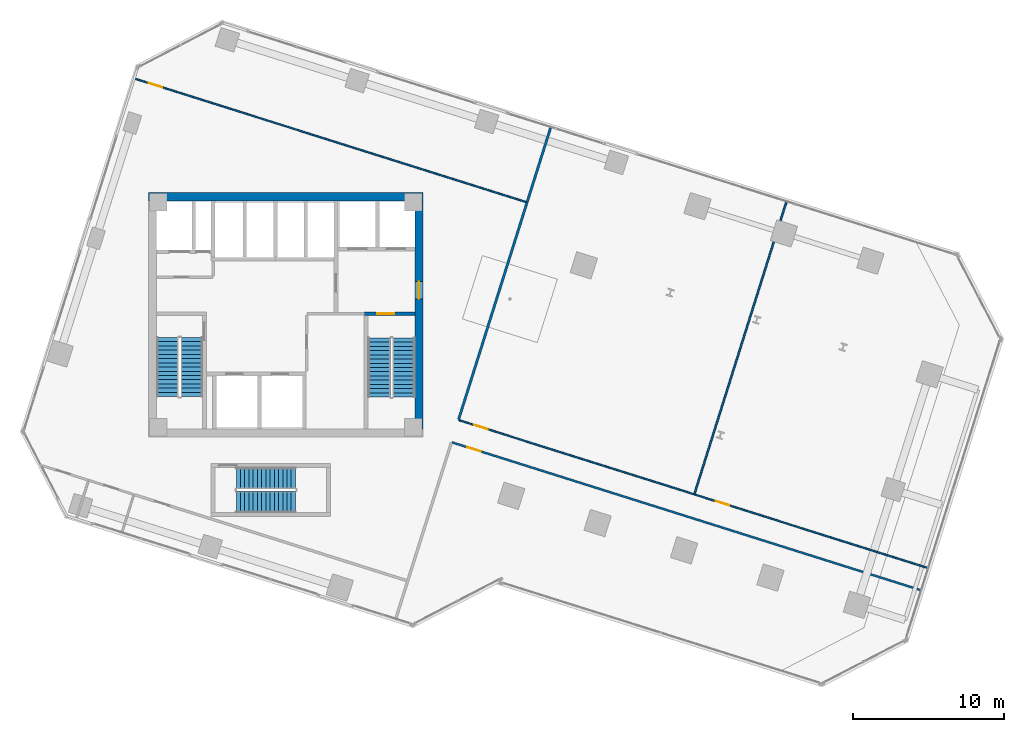
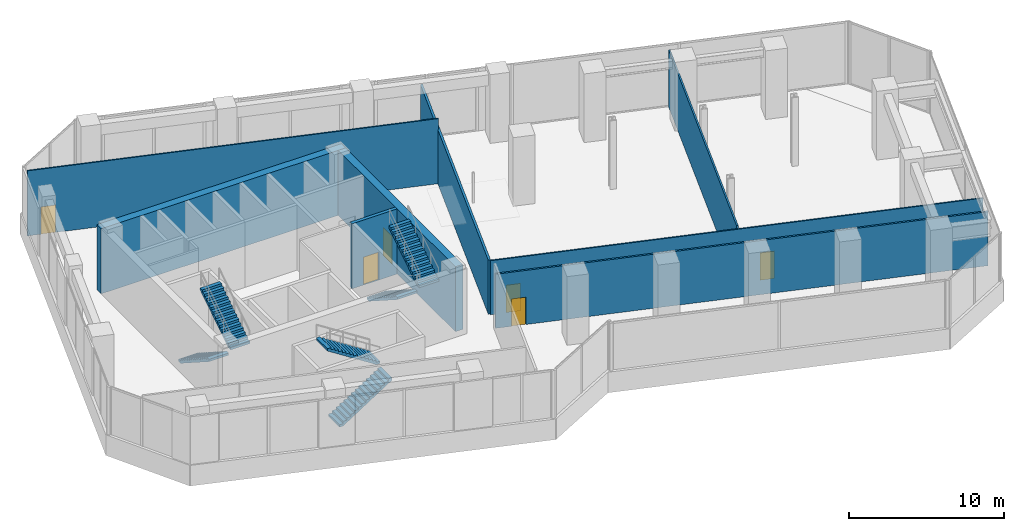
# One storey, part 22 of 28: 8 walls, 6 doors, 6 stair flights, 6 openings, 3 elements without a shape of their own.
"""IFC4 building model written with IfcOpenShell, lengths in metres."""

from ifc_helpers import new_model, si_unit, direction, frame, frame_2d, origin, place, context, subcontext, project, spatial, polyline, rectangle, outline, extrude, source, transform, mapped, material, layer, layer_set, type_object, element, fill, aggregate, save


model = new_model("IFC4")

# Units and contexts
model_context = context("Model", 3, precision=1e-05, world=origin(), true_north=direction((0.0, 1.0)))
body_context = subcontext(model_context, "Body", "Model", "MODEL_VIEW")
ifc_project = project(units=[si_unit("LENGTHUNIT", "METRE"), si_unit("AREAUNIT", "SQUARE_METRE"), si_unit("VOLUMEUNIT", "CUBIC_METRE"), si_unit("PLANEANGLEUNIT", "RADIAN"), si_unit("MASSUNIT", "GRAM", prefix="KILO")], contexts=[model_context])

# Site, building, storey
site_placement = place(None, origin())
site = spatial("IfcSite", under=ifc_project, at=site_placement, CompositionType="ELEMENT")
building_placement = place(site_placement, origin())
building = spatial("IfcBuilding", under=site, at=building_placement, Name="Torre Montelarca", CompositionType="ELEMENT")
storey_placement = place(building_placement, frame((0.0, 0.0, 116.800048828125)))
storey = spatial("IfcBuildingStorey", under=building, at=storey_placement, Name="L26", CompositionType="ELEMENT", Elevation=116.800048828125)

# Wall, opening, door
ifc_material_1 = material(Name="Concrete C40/50", Category="concrete")
ifc_layer_1 = layer(ifc_material_1, 0.25, Name="Concrete C40/50", Category="concrete")
ifc_layer_set_1 = layer_set([ifc_layer_1], Name="Concrete C40/50")
wall_type_1 = type_object("IfcWallType", Name="CW-SHAFT-250", PredefinedType="SHEAR", material=ifc_layer_set_1)
wall_1_placement = place(storey_placement, frame((23.18994140625, 32.074951171875, 0.0), z_axis=(0.0, 0.0, 1.0), x_axis=(1.0, 0.0, 0.0)))
wall_1 = element("IfcWall", 1, at=wall_1_placement, inside=storey, type_object=wall_type_1, Name="L26 Core Shear Wall SH-ST2-N", PredefinedType="SHEAR", context=body_context, shape_type="SweptSolid", body=[
    extrude(rectangle(XDim=3.35009765625, YDim=0.25, at=frame_2d((1.675048828125, 0.0))), origin(), (0.0, 0.0, 1.0), 5.119873046875),
])
opening_1_placement = place(wall_1_placement, frame((0.85009765625, 0.0, 0.0)))
opening_1 = element("IfcOpeningElement", 2, at=opening_1_placement, cuts=wall_1, Name="Opening FD-ST1", PredefinedType="OPENING", context=body_context, shape_type="SweptSolid", body=[
    extrude(rectangle(XDim=1.14990234375, YDim=2.199951171875, at=frame_2d((0.574951171875, 1.10009765625))), frame((0.0, 0.135009765625, 0.0), z_axis=(0.0, -1.0, 0.0), x_axis=(1.0, 0.0, 0.0)), (0.0, 0.0, 1.0), 0.27001953125),
])
ifc_material_2 = material(Name="Galvanized steel fire door", Category="steel")
door_type_1 = type_object("IfcDoorType", Name="DR-STAIR-115", OperationType="NOTDEFINED", PredefinedType="DOOR", material=ifc_material_2)
shared_shape_1 = source(origin(), body_context, "Body", "SweptSolid", [
    extrude(rectangle(XDim=1.14990234375, YDim=2.199951171875, at=frame_2d((0.574951171875, 1.10009765625))), frame((0.0, 0.02490234375, 0.0), z_axis=(0.0, -1.0, 0.0), x_axis=(1.0, 0.0, 0.0)), (0.0, 0.0, 1.0), 0.050048828125),
])
door_1_placement = place(opening_1_placement, origin())
door_1 = element("IfcDoor", 3, at=door_1_placement, inside=storey, type_object=door_type_1, Name="L26 Exit Stair ST2 Fire Door", OperationType="SINGLE_SWING_RIGHT", OverallHeight=2.199951171875, OverallWidth=1.14990234375, PredefinedType="DOOR", context=body_context, shape_type="MappedRepresentation", body=[
    mapped(shared_shape_1, transform((0.0, 0.0, 0.0), scale=1.0)),
])
fill(opening_1, door_1)

ifc_material_3 = material(Name="Concrete C70/85", Category="concrete")
ifc_layer_2 = layer(ifc_material_3, 0.550048828125, Name="Concrete C70/85", Category="concrete")
ifc_layer_set_2 = layer_set([ifc_layer_2], Name="Concrete C70/85")
wall_type_2 = type_object("IfcWallType", Name="CW-SHEAR-550", PredefinedType="SHEAR", material=ifc_layer_set_2)
wall_2_placement = place(storey_placement, frame((26.824951171875, 24.449951171875, 0.0), z_axis=(0.0, 0.0, 1.0), x_axis=(0.0, 1.0, 0.0)))
wall_2 = element("IfcWall", 4, at=wall_2_placement, inside=storey, type_object=wall_type_2, Name="L26 Core Shear Wall CW-E", PredefinedType="SHEAR", context=body_context, shape_type="SweptSolid", body=[
    extrude(rectangle(XDim=15.10009765625, YDim=0.550048828125, at=frame_2d((7.550048828125, 0.0))), origin(), (0.0, 0.0, 1.0), 5.119873046875),
])
opening_2_placement = place(wall_2_placement, frame((8.60009765625, 0.0, 0.0)))
opening_2 = element("IfcOpeningElement", 5, at=opening_2_placement, cuts=wall_2, Name="Opening FD-LB1", PredefinedType="OPENING", context=body_context, shape_type="SweptSolid", body=[
    extrude(rectangle(XDim=1.14990234375, YDim=2.199951171875, at=frame_2d((0.574951171875, 1.10009765625))), frame((0.0, 0.28515625, 0.0), z_axis=(0.0, -1.0, 0.0), x_axis=(1.0, 0.0, 0.0)), (0.0, 0.0, 1.0), 0.570068359375),
])
ifc_material_4 = material(Name="Acoustic timber-veneered fire door", Category="wood")
door_type_2 = type_object("IfcDoorType", Name="DR-LOBBY-115", OperationType="NOTDEFINED", PredefinedType="DOOR", material=ifc_material_4)
shared_shape_2 = source(origin(), body_context, "Body", "SweptSolid", [
    extrude(rectangle(XDim=1.14990234375, YDim=2.199951171875, at=frame_2d((0.574951171875, 1.10009765625))), frame((0.0, 0.02490234375, 0.0), z_axis=(0.0, -1.0, 0.0), x_axis=(1.0, 0.0, 0.0)), (0.0, 0.0, 1.0), 0.050048828125),
])
door_2_placement = place(opening_2_placement, origin())
door_2 = element("IfcDoor", 6, at=door_2_placement, inside=storey, type_object=door_type_2, Name="L26 Firefighting Lift Lobby Corridor Fire Door", OperationType="SINGLE_SWING_RIGHT", OverallHeight=2.199951171875, OverallWidth=1.14990234375, PredefinedType="DOOR", context=body_context, shape_type="MappedRepresentation", body=[
    mapped(shared_shape_2, transform((0.0, 0.0, 0.0), scale=1.0)),
])
fill(opening_2, door_2)

# Walls
wall_3_placement = place(storey_placement, frame((8.89990234375, 39.824951171875, 0.0), z_axis=(0.0, 0.0, 1.0), x_axis=(1.0, 0.0, 0.0)))
element("IfcWall", 7, at=wall_3_placement, inside=storey, type_object=wall_type_2, Name="L26 Core Shear Wall CW-N1", PredefinedType="SHEAR", context=body_context, shape_type="SweptSolid", body=[
    extrude(rectangle(XDim=18.2001953125, YDim=0.550048828125, at=frame_2d((9.10009765625, 0.0))), origin(), (0.0, 0.0, 1.0), 5.119873046875),
])
ifc_material_5 = material(Name="Gypsum plasterboard on steel stud", Category="steel")
ifc_layer_3 = layer(ifc_material_5, 0.159912109375, Name="Gypsum plasterboard on steel stud", Category="steel")
ifc_layer_set_3 = layer_set([ifc_layer_3], Name="Gypsum plasterboard on steel stud")
wall_type_3 = type_object("IfcWallType", Name="PW-FIRE-160", PredefinedType="PARTITIONING", material=ifc_layer_set_3)
wall_4_placement = place(storey_placement, frame((29.44384765625, 25.0703125, 0.0), z_axis=(0.0, 0.0, 1.0), x_axis=(0.300708769024, 0.953716014457, 0.0)))
element("IfcWall", 8, at=wall_4_placement, inside=storey, type_object=wall_type_3, Name="L26 Interior Partition W-L26-ECN", PredefinedType="PARTITIONING", context=body_context, shape_type="SweptSolid", body=[
    extrude(rectangle(XDim=20.240234375, YDim=0.159912109375, at=frame_2d((10.1201171875, 0.0))), origin(), (0.0, 0.0, 1.0), 4.2548828125),
])

# Wall, opening, door
ifc_material_6 = material(Name="Acoustic laminated glass partition", Category="glass")
ifc_layer_4 = layer(ifc_material_6, 0.10009765625, Name="Acoustic laminated glass partition", Category="glass")
ifc_layer_set_4 = layer_set([ifc_layer_4], Name="Acoustic laminated glass partition")
wall_type_4 = type_object("IfcWallType", Name="PW-GLAZ-100", PredefinedType="PARTITIONING", material=ifc_layer_set_4)
wall_5_placement = place(storey_placement, frame((8.053466796875, 47.6162109375, 0.0), z_axis=(0.0, 0.0, 1.0), x_axis=(0.953717706363, -0.300703402989, 0.0)))
wall_5 = element("IfcWall", 9, at=wall_5_placement, inside=storey, type_object=wall_type_4, Name="L26 Interior Partition W-L26-NBOT", PredefinedType="PARTITIONING", context=body_context, shape_type="SweptSolid", body=[
    extrude(rectangle(XDim=27.14013671875, YDim=0.10009765625, at=frame_2d((13.570068359375, 0.0))), origin(), (0.0, 0.0, 1.0), 5.119873046875),
])
opening_3_placement = place(wall_5_placement, frame((0.909912109375, 0.0, 0.0)))
opening_3 = element("IfcOpeningElement", 10, at=opening_3_placement, cuts=wall_5, Name="Opening ID-095", PredefinedType="OPENING", context=body_context, shape_type="SweptSolid", body=[
    extrude(rectangle(XDim=0.949951171875, YDim=2.14990234375, at=frame_2d((0.47509765625, 1.074951171875))), frame((0.0, 0.06005859375, 0.0), z_axis=(0.0, -1.0, 0.0), x_axis=(1.0, 0.0, 0.0)), (0.0, 0.0, 1.0), 0.1201171875),
])
ifc_material_7 = material(Name="Hardwood acoustic timber veneer", Category="wood")
door_type_3 = type_object("IfcDoorType", Name="DR-INT-095", OperationType="NOTDEFINED", PredefinedType="DOOR", material=ifc_material_7)
shared_shape_3 = source(origin(), body_context, "Body", "SweptSolid", [
    extrude(rectangle(XDim=0.949951171875, YDim=2.14990234375, at=frame_2d((0.47509765625, 1.074951171875))), frame((0.0, 0.02490234375, 0.0), z_axis=(0.0, -1.0, 0.0), x_axis=(1.0, 0.0, 0.0)), (0.0, 0.0, 1.0), 0.050048828125),
])
door_3_placement = place(opening_3_placement, origin())
door_3 = element("IfcDoor", 11, at=door_3_placement, inside=storey, type_object=door_type_3, Name="L26 Interior Door 06", OperationType="SINGLE_SWING_LEFT", OverallHeight=2.14990234375, OverallWidth=0.949951171875, PredefinedType="DOOR", context=body_context, shape_type="MappedRepresentation", body=[
    mapped(shared_shape_3, transform((0.0, 0.0, 0.0), scale=1.0)),
])
fill(opening_3, door_3)

# Wall, openings, doors
wall_6_placement = place(storey_placement, frame((29.469970703125, 25.020263671875, 0.0), z_axis=(0.0, 0.0, 1.0), x_axis=(0.953716794744, -0.300706294286, 0.0)))
wall_6 = element("IfcWall", 12, at=wall_6_placement, inside=storey, type_object=wall_type_4, Name="L26 Interior Partition W-L26-NE-S", PredefinedType="PARTITIONING", context=body_context, shape_type="SweptSolid", body=[
    extrude(rectangle(XDim=32.520263671875, YDim=0.10009765625, at=frame_2d((16.26025390625, 0.0))), origin(), (0.0, 0.0, 1.0), 4.2548828125),
])
opening_4_placement = place(wall_6_placement, frame((1.050048828125, 0.0, 0.0)))
opening_4 = element("IfcOpeningElement", 13, at=opening_4_placement, cuts=wall_6, Name="Opening ID-095", PredefinedType="OPENING", context=body_context, shape_type="SweptSolid", body=[
    extrude(rectangle(XDim=0.949951171875, YDim=2.14990234375, at=frame_2d((0.47509765625, 1.074951171875))), frame((0.0, 0.06005859375, 0.0), z_axis=(0.0, -1.0, 0.0), x_axis=(1.0, 0.0, 0.0)), (0.0, 0.0, 1.0), 0.1201171875),
])
opening_5_placement = place(wall_6_placement, frame((17.820068359375, 0.0, 0.0)))
opening_5 = element("IfcOpeningElement", 14, at=opening_5_placement, cuts=wall_6, Name="Opening ID-095", PredefinedType="OPENING", context=body_context, shape_type="SweptSolid", body=[
    extrude(rectangle(XDim=0.949951171875, YDim=2.14990234375, at=frame_2d((0.47509765625, 1.074951171875))), frame((0.0, 0.06005859375, 0.0), z_axis=(0.0, -1.0, 0.0), x_axis=(1.0, 0.0, 0.0)), (0.0, 0.0, 1.0), 0.1201171875),
])
door_4_placement = place(opening_4_placement, origin())
door_4 = element("IfcDoor", 15, at=door_4_placement, inside=storey, type_object=door_type_3, Name="L26 Interior Door 07", OperationType="SINGLE_SWING_LEFT", OverallHeight=2.14990234375, OverallWidth=0.949951171875, PredefinedType="DOOR", context=body_context, shape_type="MappedRepresentation", body=[
    mapped(shared_shape_3, transform((0.0, 0.0, 0.0), scale=1.0)),
])
fill(opening_4, door_4)
door_5_placement = place(opening_5_placement, origin())
door_5 = element("IfcDoor", 16, at=door_5_placement, inside=storey, type_object=door_type_3, Name="L26 Interior Door 08", OperationType="SINGLE_SWING_RIGHT", OverallHeight=2.14990234375, OverallWidth=0.949951171875, PredefinedType="DOOR", context=body_context, shape_type="MappedRepresentation", body=[
    mapped(shared_shape_3, transform((0.0, 0.0, 0.0), scale=1.0)),
])
fill(opening_5, door_5)

# Wall
ifc_layer_5 = layer(ifc_material_5, 0.114990234375, Name="Gypsum plasterboard on steel stud", Category="steel")
ifc_layer_set_5 = layer_set([ifc_layer_5], Name="Gypsum plasterboard on steel stud")
wall_type_5 = type_object("IfcWallType", Name="PW-PART-115", PredefinedType="PARTITIONING", material=ifc_layer_set_5)
wall_7_placement = place(storey_placement, frame((45.05615234375, 20.14794921875, 0.0), z_axis=(0.0, 0.0, 1.0), x_axis=(0.300712228368, 0.953714923712, 0.0)))
element("IfcWall", 17, at=wall_7_placement, inside=storey, type_object=wall_type_5, Name="L26 Interior Partition W-L26-NEDIV-1", PredefinedType="PARTITIONING", context=body_context, shape_type="SweptSolid", body=[
    extrude(rectangle(XDim=20.239990234375, YDim=0.114990234375, at=frame_2d((10.1201171875, 0.0))), origin(), (0.0, 0.0, 1.0), 4.48291015625),
])

# Wall, opening, door
ifc_layer_6 = layer(ifc_material_5, 0.135009765625, Name="Gypsum plasterboard on steel stud", Category="steel")
ifc_layer_set_6 = layer_set([ifc_layer_6], Name="Gypsum plasterboard on steel stud")
wall_type_6 = type_object("IfcWallType", Name="PW-PART-135", PredefinedType="PARTITIONING", material=ifc_layer_set_6)
wall_8_placement = place(storey_placement, frame((29.0068359375, 23.551513671875, 0.0), z_axis=(0.0, 0.0, 1.0), x_axis=(0.953718947743, -0.300699465773, 0.0)))
wall_8 = element("IfcWall", 18, at=wall_8_placement, inside=storey, type_object=wall_type_6, Name="L26 Interior Partition W-L26-SE-N", PredefinedType="PARTITIONING", context=body_context, shape_type="SweptSolid", body=[
    extrude(rectangle(XDim=32.520263671875, YDim=0.135009765625, at=frame_2d((16.26025390625, 0.0))), origin(), (0.0, 0.0, 1.0), 4.2548828125),
])
opening_6_placement = place(wall_8_placement, frame((1.050048828125, 0.0, 0.0)))
opening_6 = element("IfcOpeningElement", 19, at=opening_6_placement, cuts=wall_8, Name="Opening ID-095", PredefinedType="OPENING", context=body_context, shape_type="SweptSolid", body=[
    extrude(rectangle(XDim=0.949951171875, YDim=2.14990234375, at=frame_2d((0.47509765625, 1.074951171875))), frame((0.0, 0.07763671875, 0.0), z_axis=(0.0, -1.0, 0.0), x_axis=(1.0, 0.0, 0.0)), (0.0, 0.0, 1.0), 0.155029296875),
])
door_6_placement = place(opening_6_placement, origin())
door_6 = element("IfcDoor", 20, at=door_6_placement, inside=storey, type_object=door_type_3, Name="L26 Interior Door 09", OperationType="SINGLE_SWING_LEFT", OverallHeight=2.14990234375, OverallWidth=0.949951171875, PredefinedType="DOOR", context=body_context, shape_type="MappedRepresentation", body=[
    mapped(shared_shape_3, transform((0.0, 0.0, 0.0), scale=1.0)),
])
fill(opening_6, door_6)

# Stair, stair flights
stair_type_1 = type_object("IfcStairType", Name="ST-CORE-ST1", PredefinedType="HALF_TURN_STAIR", material=ifc_material_1)
stair_1_placement = place(storey_placement, origin())
stair_1 = element("IfcStair", 21, at=stair_1_placement, inside=storey, type_object=stair_type_1, Name="L26 Protected Exit Stair ST1", PredefinedType="HALF_TURN_STAIR")
stair_flight_type_1 = type_object("IfcStairFlightType", Name="SFL-CORE-ST1", PredefinedType="STRAIGHT", material=ifc_material_1)
stair_flight_1_placement = place(storey_placement, frame((10.175048828125, 30.5, 0.0), z_axis=(0.0, 0.0, 1.0), x_axis=(0.0, -1.0, 0.0)))
stair_flight_1 = element("IfcStairFlight", 22, at=stair_flight_1_placement, type_object=stair_flight_type_1, Name="ST1 flight 1", NumberOfRisers=15, NumberOfTreads=14, PredefinedType="STRAIGHT", RiserHeight=0.18, TreadLength=0.28, context=body_context, shape_type="SweptSolid", body=[
    extrude(outline(polyline([(0.0, 0.0), (0.0, 0.179931640625), (0.280029296875, 0.179931640625), (0.280029296875, 0.360107421875), (0.56005859375, 0.360107421875), (0.56005859375, 0.5400390625), (0.840087890625, 0.5400390625), (0.840087890625, 0.719970703125), (1.1201171875, 0.719970703125), (1.1201171875, 0.89990234375), (1.39990234375, 0.89990234375), (1.39990234375, 1.080078125), (1.679931640625, 1.080078125), (1.679931640625, 1.260009765625), (1.9599609375, 1.260009765625), (1.9599609375, 1.43994140625), (2.239990234375, 1.43994140625), (2.239990234375, 1.6201171875), (2.52001953125, 1.6201171875), (2.52001953125, 1.800048828125), (2.800048828125, 1.800048828125), (2.800048828125, 1.97998046875), (3.080078125, 1.97998046875), (3.080078125, 2.159912109375), (3.360107421875, 2.159912109375), (3.360107421875, 2.340087890625), (3.639892578125, 2.340087890625), (3.639892578125, 2.52001953125), (3.919921875, 2.52001953125), (3.919921875, 2.699951171875), (3.919921875, 2.341796875), (0.277099609375, 0.0), (0.0, 0.0)])), frame((0.0, 0.72509765625, 0.0), z_axis=(0.0, -1.0, 0.0), x_axis=(1.0, 0.0, 0.0)), (0.0, 0.0, 1.0), 1.449951171875),
])
stair_flight_2_placement = place(storey_placement, frame((11.77490234375, 26.580078125, 2.699951171875), z_axis=(0.0, 0.0, 1.0), x_axis=(0.0, 1.0, 0.0)))
stair_flight_2 = element("IfcStairFlight", 23, at=stair_flight_2_placement, type_object=stair_flight_type_1, Name="ST1 flight 2", NumberOfRisers=15, NumberOfTreads=14, PredefinedType="STRAIGHT", RiserHeight=0.18, TreadLength=0.28, context=body_context, shape_type="SweptSolid", body=[
    extrude(outline(polyline([(0.0, 0.0), (0.0, 0.179931640625), (0.280029296875, 0.179931640625), (0.280029296875, 0.360107421875), (0.56005859375, 0.360107421875), (0.56005859375, 0.5400390625), (0.840087890625, 0.5400390625), (0.840087890625, 0.719970703125), (1.1201171875, 0.719970703125), (1.1201171875, 0.89990234375), (1.39990234375, 0.89990234375), (1.39990234375, 1.080078125), (1.679931640625, 1.080078125), (1.679931640625, 1.260009765625), (1.9599609375, 1.260009765625), (1.9599609375, 1.43994140625), (2.239990234375, 1.43994140625), (2.239990234375, 1.6201171875), (2.52001953125, 1.6201171875), (2.52001953125, 1.800048828125), (2.800048828125, 1.800048828125), (2.800048828125, 1.97998046875), (3.080078125, 1.97998046875), (3.080078125, 2.159912109375), (3.360107421875, 2.159912109375), (3.360107421875, 2.340087890625), (3.639892578125, 2.340087890625), (3.639892578125, 2.52001953125), (3.919921875, 2.52001953125), (3.919921875, 2.699951171875), (3.919921875, 2.341796875), (0.277099609375, 0.0), (0.0, 0.0)])), frame((0.0, 0.72509765625, 0.0), z_axis=(0.0, -1.0, 0.0), x_axis=(1.0, 0.0, 0.0)), (0.0, 0.0, 1.0), 1.449951171875),
])
aggregate(stair_1, [stair_flight_1, stair_flight_2])

stair_type_2 = type_object("IfcStairType", Name="ST-CORE-ST2", PredefinedType="HALF_TURN_STAIR", material=ifc_material_1)
stair_2_placement = place(storey_placement, origin())
stair_2 = element("IfcStair", 24, at=stair_2_placement, inside=storey, type_object=stair_type_2, Name="L26 Protected Exit Stair ST2", PredefinedType="HALF_TURN_STAIR")
stair_flight_type_2 = type_object("IfcStairFlightType", Name="SFL-CORE-ST2", PredefinedType="STRAIGHT", material=ifc_material_1)
stair_flight_3_placement = place(storey_placement, frame((24.179931640625, 30.469970703125, 0.0), z_axis=(0.0, 0.0, 1.0), x_axis=(0.0, -1.0, 0.0)))
stair_flight_3 = element("IfcStairFlight", 25, at=stair_flight_3_placement, type_object=stair_flight_type_2, Name="ST2 flight 1", NumberOfRisers=15, NumberOfTreads=14, PredefinedType="STRAIGHT", RiserHeight=0.18, TreadLength=0.28, context=body_context, shape_type="SweptSolid", body=[
    extrude(outline(polyline([(0.0, 0.0), (0.0, 0.179931640625), (0.280029296875, 0.179931640625), (0.280029296875, 0.360107421875), (0.56005859375, 0.360107421875), (0.56005859375, 0.5400390625), (0.840087890625, 0.5400390625), (0.840087890625, 0.719970703125), (1.1201171875, 0.719970703125), (1.1201171875, 0.89990234375), (1.39990234375, 0.89990234375), (1.39990234375, 1.080078125), (1.679931640625, 1.080078125), (1.679931640625, 1.260009765625), (1.9599609375, 1.260009765625), (1.9599609375, 1.43994140625), (2.239990234375, 1.43994140625), (2.239990234375, 1.6201171875), (2.52001953125, 1.6201171875), (2.52001953125, 1.800048828125), (2.800048828125, 1.800048828125), (2.800048828125, 1.97998046875), (3.080078125, 1.97998046875), (3.080078125, 2.159912109375), (3.360107421875, 2.159912109375), (3.360107421875, 2.340087890625), (3.639892578125, 2.340087890625), (3.639892578125, 2.52001953125), (3.919921875, 2.52001953125), (3.919921875, 2.699951171875), (3.919921875, 2.341796875), (0.277099609375, 0.0), (0.0, 0.0)])), frame((0.0, 0.739990234375, 0.0), z_axis=(0.0, -1.0, 0.0), x_axis=(1.0, 0.0, 0.0)), (0.0, 0.0, 1.0), 1.47998046875),
])
stair_flight_4_placement = place(storey_placement, frame((25.81005859375, 26.550048828125, 2.699951171875), z_axis=(0.0, 0.0, 1.0), x_axis=(0.0, 1.0, 0.0)))
stair_flight_4 = element("IfcStairFlight", 26, at=stair_flight_4_placement, type_object=stair_flight_type_2, Name="ST2 flight 2", NumberOfRisers=15, NumberOfTreads=14, PredefinedType="STRAIGHT", RiserHeight=0.18, TreadLength=0.28, context=body_context, shape_type="SweptSolid", body=[
    extrude(outline(polyline([(0.0, 0.0), (0.0, 0.179931640625), (0.280029296875, 0.179931640625), (0.280029296875, 0.360107421875), (0.56005859375, 0.360107421875), (0.56005859375, 0.5400390625), (0.840087890625, 0.5400390625), (0.840087890625, 0.719970703125), (1.1201171875, 0.719970703125), (1.1201171875, 0.89990234375), (1.39990234375, 0.89990234375), (1.39990234375, 1.080078125), (1.679931640625, 1.080078125), (1.679931640625, 1.260009765625), (1.9599609375, 1.260009765625), (1.9599609375, 1.43994140625), (2.239990234375, 1.43994140625), (2.239990234375, 1.6201171875), (2.52001953125, 1.6201171875), (2.52001953125, 1.800048828125), (2.800048828125, 1.800048828125), (2.800048828125, 1.97998046875), (3.080078125, 1.97998046875), (3.080078125, 2.159912109375), (3.360107421875, 2.159912109375), (3.360107421875, 2.340087890625), (3.639892578125, 2.340087890625), (3.639892578125, 2.52001953125), (3.919921875, 2.52001953125), (3.919921875, 2.699951171875), (3.919921875, 2.341796875), (0.277099609375, 0.0), (0.0, 0.0)])), frame((0.0, 0.739990234375, 0.0), z_axis=(0.0, -1.0, 0.0), x_axis=(1.0, 0.0, 0.0)), (0.0, 0.0, 1.0), 1.47998046875),
])
aggregate(stair_2, [stair_flight_3, stair_flight_4])

stair_type_3 = type_object("IfcStairType", Name="ST-CORE-ST3", PredefinedType="HALF_TURN_STAIR", material=ifc_material_1)
stair_3_placement = place(storey_placement, origin())
stair_3 = element("IfcStair", 27, at=stair_3_placement, inside=storey, type_object=stair_type_3, Name="L26 Low-Rise Exit Stair ST3", PredefinedType="HALF_TURN_STAIR")
stair_flight_type_3 = type_object("IfcStairFlightType", Name="SFL-CORE-ST3", PredefinedType="STRAIGHT", material=ifc_material_1)
stair_flight_5_placement = place(storey_placement, frame((14.719970703125, 19.610107421875, 0.0), z_axis=(0.0, 0.0, 1.0), x_axis=(1.0, 0.0, 0.0)))
stair_flight_5 = element("IfcStairFlight", 28, at=stair_flight_5_placement, type_object=stair_flight_type_3, Name="ST3 flight 1", NumberOfRisers=15, NumberOfTreads=14, PredefinedType="STRAIGHT", RiserHeight=0.18, TreadLength=0.28, context=body_context, shape_type="SweptSolid", body=[
    extrude(outline(polyline([(0.0, 0.0), (0.0, 0.179931640625), (0.280029296875, 0.179931640625), (0.280029296875, 0.360107421875), (0.56005859375, 0.360107421875), (0.56005859375, 0.5400390625), (0.840087890625, 0.5400390625), (0.840087890625, 0.719970703125), (1.1201171875, 0.719970703125), (1.1201171875, 0.89990234375), (1.39990234375, 0.89990234375), (1.39990234375, 1.080078125), (1.679931640625, 1.080078125), (1.679931640625, 1.260009765625), (1.9599609375, 1.260009765625), (1.9599609375, 1.43994140625), (2.239990234375, 1.43994140625), (2.239990234375, 1.6201171875), (2.52001953125, 1.6201171875), (2.52001953125, 1.800048828125), (2.800048828125, 1.800048828125), (2.800048828125, 1.97998046875), (3.080078125, 1.97998046875), (3.080078125, 2.159912109375), (3.360107421875, 2.159912109375), (3.360107421875, 2.340087890625), (3.639892578125, 2.340087890625), (3.639892578125, 2.52001953125), (3.919921875, 2.52001953125), (3.919921875, 2.699951171875), (3.919921875, 2.341796875), (0.277099609375, 0.0), (0.0, 0.0)])), frame((0.0, 0.7099609375, 0.0), z_axis=(0.0, -1.0, 0.0), x_axis=(1.0, 0.0, 0.0)), (0.0, 0.0, 1.0), 1.419921875),
])
stair_flight_6_placement = place(storey_placement, frame((18.639892578125, 21.179931640625, 2.699951171875), z_axis=(0.0, 0.0, 1.0), x_axis=(-1.0, 0.0, 0.0)))
stair_flight_6 = element("IfcStairFlight", 29, at=stair_flight_6_placement, type_object=stair_flight_type_3, Name="ST3 flight 2", NumberOfRisers=15, NumberOfTreads=14, PredefinedType="STRAIGHT", RiserHeight=0.18, TreadLength=0.28, context=body_context, shape_type="SweptSolid", body=[
    extrude(outline(polyline([(0.0, 0.0), (0.0, 0.179931640625), (0.280029296875, 0.179931640625), (0.280029296875, 0.360107421875), (0.56005859375, 0.360107421875), (0.56005859375, 0.5400390625), (0.840087890625, 0.5400390625), (0.840087890625, 0.719970703125), (1.1201171875, 0.719970703125), (1.1201171875, 0.89990234375), (1.39990234375, 0.89990234375), (1.39990234375, 1.080078125), (1.679931640625, 1.080078125), (1.679931640625, 1.260009765625), (1.9599609375, 1.260009765625), (1.9599609375, 1.43994140625), (2.239990234375, 1.43994140625), (2.239990234375, 1.6201171875), (2.52001953125, 1.6201171875), (2.52001953125, 1.800048828125), (2.800048828125, 1.800048828125), (2.800048828125, 1.97998046875), (3.080078125, 1.97998046875), (3.080078125, 2.159912109375), (3.360107421875, 2.159912109375), (3.360107421875, 2.340087890625), (3.639892578125, 2.340087890625), (3.639892578125, 2.52001953125), (3.919921875, 2.52001953125), (3.919921875, 2.699951171875), (3.919921875, 2.341796875), (0.277099609375, 0.0), (0.0, 0.0)])), frame((0.0, 0.7099609375, 0.0), z_axis=(0.0, -1.0, 0.0), x_axis=(1.0, 0.0, 0.0)), (0.0, 0.0, 1.0), 1.419921875),
])
aggregate(stair_3, [stair_flight_5, stair_flight_6])

save(model, "model.ifc")
